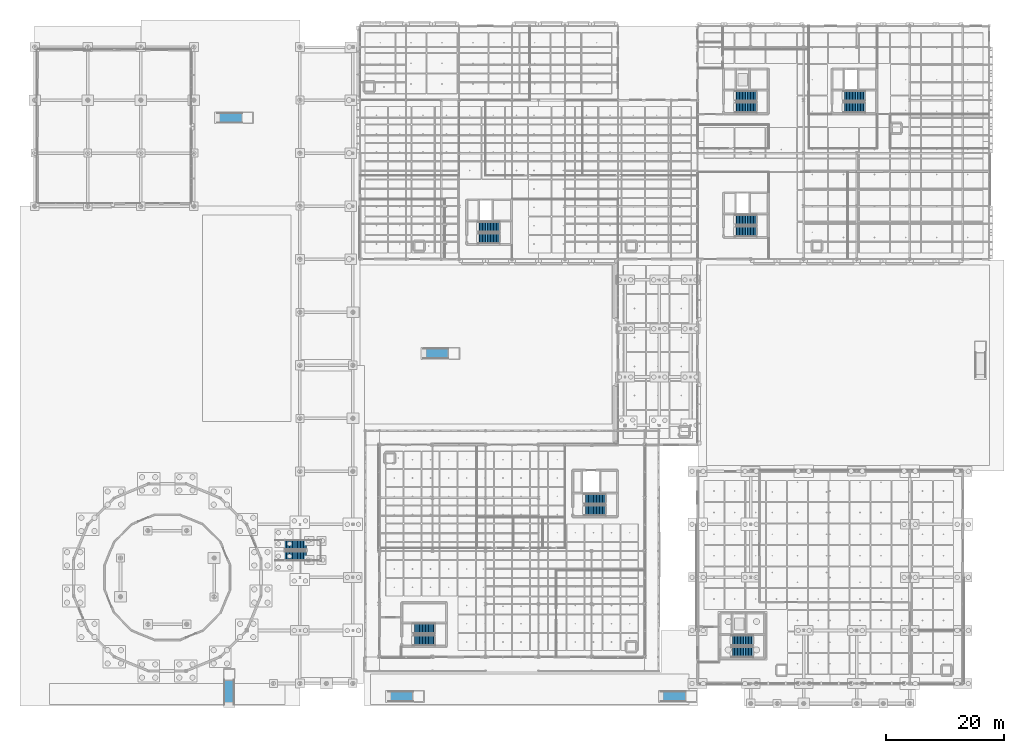
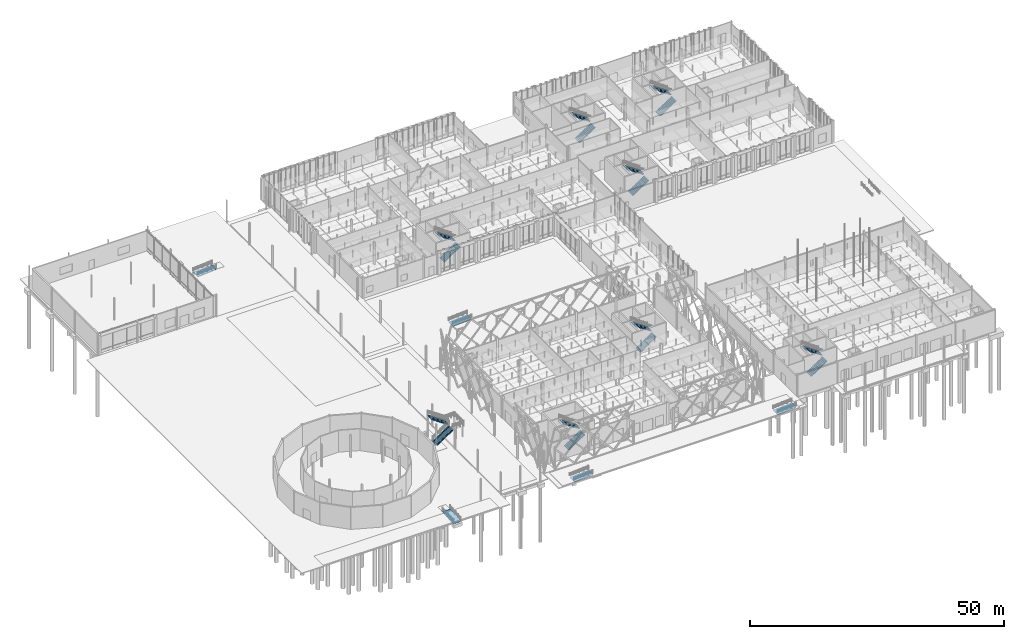
# One storey, part 103 of 180: 16 stair flights, 5 ramp flights, 13 elements without a shape of their own.
"""IFC4 building model written with IfcOpenShell, lengths in metres."""

from ifc_helpers import new_model, si_unit, direction, frame, origin, place, context, subcontext, project, spatial, polyline, outline, extrude, material, layer, layer_set, type_object, element, aggregate, save


model = new_model("IFC4")

# Units and contexts
model_context = context("Model", 3, precision=1e-05, world=origin(), true_north=direction((0.0, 1.0)))
body_context = subcontext(model_context, "Body", "Model", "MODEL_VIEW")
ifc_project = project(units=[si_unit("LENGTHUNIT", "METRE"), si_unit("AREAUNIT", "SQUARE_METRE"), si_unit("VOLUMEUNIT", "CUBIC_METRE"), si_unit("PLANEANGLEUNIT", "RADIAN"), si_unit("MASSUNIT", "GRAM", prefix="KILO"), si_unit("THERMODYNAMICTEMPERATUREUNIT", "KELVIN"), si_unit("POWERUNIT", "WATT")], contexts=[model_context])

# Site, building, storey
site_placement = place(None, origin())
site = spatial("IfcSite", under=ifc_project, at=site_placement, CompositionType="ELEMENT")
building_placement = place(site_placement, origin())
building = spatial("IfcBuilding", under=site, at=building_placement, Name="Tallowbark Science Centre", CompositionType="ELEMENT")
storey_placement = place(building_placement, origin())
storey = spatial("IfcBuildingStorey", under=building, at=storey_placement, Name="L00", CompositionType="ELEMENT", Elevation=0.0)

# Stair, stair flights
ifc_material = material(Name="Concrete Grade N40 (40 MPa)", Category="concrete")
stair_type_1 = type_object("IfcStairType", Name="STR-C1", PredefinedType="HALF_TURN_STAIR", material=ifc_material)
stair_1_placement = place(storey_placement, origin())
stair_1 = element("IfcStair", 1, at=stair_1_placement, inside=storey, type_object=stair_type_1, Name="L00 Fire Stair ST-01", PredefinedType="HALF_TURN_STAIR")
stair_flight_type_1 = type_object("IfcStairFlightType", Name="SFL-C1", PredefinedType="STRAIGHT", material=ifc_material)
stair_flight_1_placement = place(storey_placement, frame((75.2099609375, 75.530029296875, 0.0), z_axis=(0.0, 0.0, 1.0), x_axis=(1.0, 0.0, 0.0)))
stair_flight_1 = element("IfcStairFlight", 2, at=stair_flight_1_placement, type_object=stair_flight_type_1, Name="ST-01 flight 1", NumberOfRisers=15, NumberOfTreads=14, PredefinedType="STRAIGHT", RiserHeight=0.18, TreadLength=0.265, context=body_context, shape_type="SweptSolid", body=[
    extrude(outline(polyline([(0.0, 0.0), (0.0, 0.179931640625), (0.264892578125, 0.179931640625), (0.264892578125, 0.360107421875), (0.530029296875, 0.360107421875), (0.530029296875, 0.5400390625), (0.794921875, 0.5400390625), (0.794921875, 0.719970703125), (1.06005859375, 0.719970703125), (1.06005859375, 0.89990234375), (1.324951171875, 0.89990234375), (1.324951171875, 1.080078125), (1.590087890625, 1.080078125), (1.590087890625, 1.260009765625), (1.85498046875, 1.260009765625), (1.85498046875, 1.43994140625), (2.1201171875, 1.43994140625), (2.1201171875, 1.6201171875), (2.385009765625, 1.6201171875), (2.385009765625, 1.800048828125), (2.64990234375, 1.800048828125), (2.64990234375, 1.97998046875), (2.9150390625, 1.97998046875), (2.9150390625, 2.159912109375), (3.179931640625, 2.159912109375), (3.179931640625, 2.340087890625), (3.445068359375, 2.340087890625), (3.445068359375, 2.52001953125), (3.7099609375, 2.52001953125), (3.7099609375, 2.699951171875), (3.7099609375, 2.3388671875), (0.266845703125, 0.0), (0.0, 0.0)])), frame((0.0, 0.8798828125, 0.0), z_axis=(0.0, -1.0, 0.0), x_axis=(1.0, 0.0, 0.0)), (0.0, 0.0, 1.0), 1.760009765625),
])
stair_flight_2_placement = place(storey_placement, frame((78.919921875, 77.489990234375, 2.699951171875), z_axis=(0.0, 0.0, 1.0), x_axis=(-1.0, 0.0, 0.0)))
stair_flight_2 = element("IfcStairFlight", 3, at=stair_flight_2_placement, type_object=stair_flight_type_1, Name="ST-01 flight 2", NumberOfRisers=15, NumberOfTreads=14, PredefinedType="STRAIGHT", RiserHeight=0.18, TreadLength=0.265, context=body_context, shape_type="SweptSolid", body=[
    extrude(outline(polyline([(0.0, 0.0), (0.0, 0.179931640625), (0.264892578125, 0.179931640625), (0.264892578125, 0.360107421875), (0.530029296875, 0.360107421875), (0.530029296875, 0.5400390625), (0.794921875, 0.5400390625), (0.794921875, 0.719970703125), (1.06005859375, 0.719970703125), (1.06005859375, 0.89990234375), (1.324951171875, 0.89990234375), (1.324951171875, 1.080078125), (1.590087890625, 1.080078125), (1.590087890625, 1.260009765625), (1.85498046875, 1.260009765625), (1.85498046875, 1.43994140625), (2.1201171875, 1.43994140625), (2.1201171875, 1.6201171875), (2.385009765625, 1.6201171875), (2.385009765625, 1.800048828125), (2.64990234375, 1.800048828125), (2.64990234375, 1.97998046875), (2.9150390625, 1.97998046875), (2.9150390625, 2.159912109375), (3.179931640625, 2.159912109375), (3.179931640625, 2.340087890625), (3.445068359375, 2.340087890625), (3.445068359375, 2.52001953125), (3.7099609375, 2.52001953125), (3.7099609375, 2.699951171875), (3.7099609375, 2.3388671875), (0.266845703125, 0.0), (0.0, 0.0)])), frame((0.0, 0.8798828125, 0.0), z_axis=(0.0, -1.0, 0.0), x_axis=(1.0, 0.0, 0.0)), (0.0, 0.0, 1.0), 1.760009765625),
])
aggregate(stair_1, [stair_flight_1, stair_flight_2])

stair_type_2 = type_object("IfcStairType", Name="STR-C2", PredefinedType="HALF_TURN_STAIR", material=ifc_material)
stair_2_placement = place(storey_placement, origin())
stair_2 = element("IfcStair", 4, at=stair_2_placement, inside=storey, type_object=stair_type_2, Name="L00 Fire Stair ST-02", PredefinedType="HALF_TURN_STAIR")
stair_flight_type_2 = type_object("IfcStairFlightType", Name="SFL-C2", PredefinedType="STRAIGHT", material=ifc_material)
stair_flight_3_placement = place(storey_placement, frame((118.81005859375, 76.72998046875, 0.0), z_axis=(0.0, 0.0, 1.0), x_axis=(1.0, 0.0, 0.0)))
stair_flight_3 = element("IfcStairFlight", 5, at=stair_flight_3_placement, type_object=stair_flight_type_2, Name="ST-02 flight 1", NumberOfRisers=15, NumberOfTreads=14, PredefinedType="STRAIGHT", RiserHeight=0.18, TreadLength=0.265, context=body_context, shape_type="SweptSolid", body=[
    extrude(outline(polyline([(0.0, 0.0), (0.0, 0.179931640625), (0.264892578125, 0.179931640625), (0.264892578125, 0.360107421875), (0.530029296875, 0.360107421875), (0.530029296875, 0.5400390625), (0.794921875, 0.5400390625), (0.794921875, 0.719970703125), (1.06005859375, 0.719970703125), (1.06005859375, 0.89990234375), (1.324951171875, 0.89990234375), (1.324951171875, 1.080078125), (1.590087890625, 1.080078125), (1.590087890625, 1.260009765625), (1.85498046875, 1.260009765625), (1.85498046875, 1.43994140625), (2.1201171875, 1.43994140625), (2.1201171875, 1.6201171875), (2.385009765625, 1.6201171875), (2.385009765625, 1.800048828125), (2.64990234375, 1.800048828125), (2.64990234375, 1.97998046875), (2.9150390625, 1.97998046875), (2.9150390625, 2.159912109375), (3.179931640625, 2.159912109375), (3.179931640625, 2.340087890625), (3.445068359375, 2.340087890625), (3.445068359375, 2.52001953125), (3.7099609375, 2.52001953125), (3.7099609375, 2.699951171875), (3.7099609375, 2.3388671875), (0.266845703125, 0.0), (0.0, 0.0)])), frame((0.0, 0.8798828125, 0.0), z_axis=(0.0, -1.0, 0.0), x_axis=(1.0, 0.0, 0.0)), (0.0, 0.0, 1.0), 1.760009765625),
])
stair_flight_4_placement = place(storey_placement, frame((122.52001953125, 78.68994140625, 2.699951171875), z_axis=(0.0, 0.0, 1.0), x_axis=(-1.0, 0.0, 0.0)))
stair_flight_4 = element("IfcStairFlight", 6, at=stair_flight_4_placement, type_object=stair_flight_type_2, Name="ST-02 flight 2", NumberOfRisers=15, NumberOfTreads=14, PredefinedType="STRAIGHT", RiserHeight=0.18, TreadLength=0.265, context=body_context, shape_type="SweptSolid", body=[
    extrude(outline(polyline([(0.0, 0.0), (0.0, 0.179931640625), (0.264892578125, 0.179931640625), (0.264892578125, 0.360107421875), (0.530029296875, 0.360107421875), (0.530029296875, 0.5400390625), (0.794921875, 0.5400390625), (0.794921875, 0.719970703125), (1.06005859375, 0.719970703125), (1.06005859375, 0.89990234375), (1.324951171875, 0.89990234375), (1.324951171875, 1.080078125), (1.590087890625, 1.080078125), (1.590087890625, 1.260009765625), (1.85498046875, 1.260009765625), (1.85498046875, 1.43994140625), (2.1201171875, 1.43994140625), (2.1201171875, 1.6201171875), (2.385009765625, 1.6201171875), (2.385009765625, 1.800048828125), (2.64990234375, 1.800048828125), (2.64990234375, 1.97998046875), (2.9150390625, 1.97998046875), (2.9150390625, 2.159912109375), (3.179931640625, 2.159912109375), (3.179931640625, 2.340087890625), (3.445068359375, 2.340087890625), (3.445068359375, 2.52001953125), (3.7099609375, 2.52001953125), (3.7099609375, 2.699951171875), (3.7099609375, 2.3388671875), (0.266845703125, 0.0), (0.0, 0.0)])), frame((0.0, 0.8798828125, 0.0), z_axis=(0.0, -1.0, 0.0), x_axis=(1.0, 0.0, 0.0)), (0.0, 0.0, 1.0), 1.760009765625),
])
aggregate(stair_2, [stair_flight_3, stair_flight_4])

stair_type_3 = type_object("IfcStairType", Name="STR-C3", PredefinedType="HALF_TURN_STAIR", material=ifc_material)
stair_3_placement = place(storey_placement, origin())
stair_3 = element("IfcStair", 7, at=stair_3_placement, inside=storey, type_object=stair_type_3, Name="L00 Fire Stair ST-03", PredefinedType="HALF_TURN_STAIR")
stair_flight_type_3 = type_object("IfcStairFlightType", Name="SFL-C3", PredefinedType="STRAIGHT", material=ifc_material)
stair_flight_5_placement = place(storey_placement, frame((93.2099609375, 29.330078125, 0.0), z_axis=(0.0, 0.0, 1.0), x_axis=(1.0, 0.0, 0.0)))
stair_flight_5 = element("IfcStairFlight", 8, at=stair_flight_5_placement, type_object=stair_flight_type_3, Name="ST-03 flight 1", NumberOfRisers=15, NumberOfTreads=14, PredefinedType="STRAIGHT", RiserHeight=0.18, TreadLength=0.265, context=body_context, shape_type="SweptSolid", body=[
    extrude(outline(polyline([(0.0, 0.0), (0.0, 0.179931640625), (0.264892578125, 0.179931640625), (0.264892578125, 0.360107421875), (0.530029296875, 0.360107421875), (0.530029296875, 0.5400390625), (0.794921875, 0.5400390625), (0.794921875, 0.719970703125), (1.06005859375, 0.719970703125), (1.06005859375, 0.89990234375), (1.324951171875, 0.89990234375), (1.324951171875, 1.080078125), (1.590087890625, 1.080078125), (1.590087890625, 1.260009765625), (1.85498046875, 1.260009765625), (1.85498046875, 1.43994140625), (2.1201171875, 1.43994140625), (2.1201171875, 1.6201171875), (2.385009765625, 1.6201171875), (2.385009765625, 1.800048828125), (2.64990234375, 1.800048828125), (2.64990234375, 1.97998046875), (2.9150390625, 1.97998046875), (2.9150390625, 2.159912109375), (3.179931640625, 2.159912109375), (3.179931640625, 2.340087890625), (3.445068359375, 2.340087890625), (3.445068359375, 2.52001953125), (3.7099609375, 2.52001953125), (3.7099609375, 2.699951171875), (3.7099609375, 2.3388671875), (0.266845703125, 0.0), (0.0, 0.0)])), frame((0.0, 0.8798828125, 0.0), z_axis=(0.0, -1.0, 0.0), x_axis=(1.0, 0.0, 0.0)), (0.0, 0.0, 1.0), 1.760009765625),
])
stair_flight_6_placement = place(storey_placement, frame((96.919921875, 31.2900390625, 2.699951171875), z_axis=(0.0, 0.0, 1.0), x_axis=(-1.0, 0.0, 0.0)))
stair_flight_6 = element("IfcStairFlight", 9, at=stair_flight_6_placement, type_object=stair_flight_type_3, Name="ST-03 flight 2", NumberOfRisers=15, NumberOfTreads=14, PredefinedType="STRAIGHT", RiserHeight=0.18, TreadLength=0.265, context=body_context, shape_type="SweptSolid", body=[
    extrude(outline(polyline([(0.0, 0.0), (0.0, 0.179931640625), (0.264892578125, 0.179931640625), (0.264892578125, 0.360107421875), (0.530029296875, 0.360107421875), (0.530029296875, 0.5400390625), (0.794921875, 0.5400390625), (0.794921875, 0.719970703125), (1.06005859375, 0.719970703125), (1.06005859375, 0.89990234375), (1.324951171875, 0.89990234375), (1.324951171875, 1.080078125), (1.590087890625, 1.080078125), (1.590087890625, 1.260009765625), (1.85498046875, 1.260009765625), (1.85498046875, 1.43994140625), (2.1201171875, 1.43994140625), (2.1201171875, 1.6201171875), (2.385009765625, 1.6201171875), (2.385009765625, 1.800048828125), (2.64990234375, 1.800048828125), (2.64990234375, 1.97998046875), (2.9150390625, 1.97998046875), (2.9150390625, 2.159912109375), (3.179931640625, 2.159912109375), (3.179931640625, 2.340087890625), (3.445068359375, 2.340087890625), (3.445068359375, 2.52001953125), (3.7099609375, 2.52001953125), (3.7099609375, 2.699951171875), (3.7099609375, 2.3388671875), (0.266845703125, 0.0), (0.0, 0.0)])), frame((0.0, 0.8798828125, 0.0), z_axis=(0.0, -1.0, 0.0), x_axis=(1.0, 0.0, 0.0)), (0.0, 0.0, 1.0), 1.760009765625),
])
aggregate(stair_3, [stair_flight_5, stair_flight_6])

stair_type_4 = type_object("IfcStairType", Name="STR-C4", PredefinedType="HALF_TURN_STAIR", material=ifc_material)
stair_4_placement = place(storey_placement, origin())
stair_4 = element("IfcStair", 10, at=stair_4_placement, inside=storey, type_object=stair_type_4, Name="L00 Fire Stair ST-04", PredefinedType="HALF_TURN_STAIR")
stair_flight_type_4 = type_object("IfcStairFlightType", Name="SFL-C4", PredefinedType="STRAIGHT", material=ifc_material)
stair_flight_7_placement = place(storey_placement, frame((137.2099609375, 97.72998046875, 0.0), z_axis=(0.0, 0.0, 1.0), x_axis=(1.0, 0.0, 0.0)))
stair_flight_7 = element("IfcStairFlight", 11, at=stair_flight_7_placement, type_object=stair_flight_type_4, Name="ST-04 flight 1", NumberOfRisers=15, NumberOfTreads=14, PredefinedType="STRAIGHT", RiserHeight=0.18, TreadLength=0.265, context=body_context, shape_type="SweptSolid", body=[
    extrude(outline(polyline([(0.0, 0.0), (0.0, 0.179931640625), (0.264892578125, 0.179931640625), (0.264892578125, 0.360107421875), (0.530029296875, 0.360107421875), (0.530029296875, 0.5400390625), (0.794921875, 0.5400390625), (0.794921875, 0.719970703125), (1.06005859375, 0.719970703125), (1.06005859375, 0.89990234375), (1.324951171875, 0.89990234375), (1.324951171875, 1.080078125), (1.590087890625, 1.080078125), (1.590087890625, 1.260009765625), (1.85498046875, 1.260009765625), (1.85498046875, 1.43994140625), (2.1201171875, 1.43994140625), (2.1201171875, 1.6201171875), (2.385009765625, 1.6201171875), (2.385009765625, 1.800048828125), (2.64990234375, 1.800048828125), (2.64990234375, 1.97998046875), (2.9150390625, 1.97998046875), (2.9150390625, 2.159912109375), (3.179931640625, 2.159912109375), (3.179931640625, 2.340087890625), (3.445068359375, 2.340087890625), (3.445068359375, 2.52001953125), (3.7099609375, 2.52001953125), (3.7099609375, 2.699951171875), (3.7099609375, 2.3388671875), (0.266845703125, 0.0), (0.0, 0.0)])), frame((0.0, 0.8798828125, 0.0), z_axis=(0.0, -1.0, 0.0), x_axis=(1.0, 0.0, 0.0)), (0.0, 0.0, 1.0), 1.760009765625),
])
stair_flight_8_placement = place(storey_placement, frame((140.919921875, 99.68994140625, 2.699951171875), z_axis=(0.0, 0.0, 1.0), x_axis=(-1.0, 0.0, 0.0)))
stair_flight_8 = element("IfcStairFlight", 12, at=stair_flight_8_placement, type_object=stair_flight_type_4, Name="ST-04 flight 2", NumberOfRisers=15, NumberOfTreads=14, PredefinedType="STRAIGHT", RiserHeight=0.18, TreadLength=0.265, context=body_context, shape_type="SweptSolid", body=[
    extrude(outline(polyline([(0.0, 0.0), (0.0, 0.179931640625), (0.264892578125, 0.179931640625), (0.264892578125, 0.360107421875), (0.530029296875, 0.360107421875), (0.530029296875, 0.5400390625), (0.794921875, 0.5400390625), (0.794921875, 0.719970703125), (1.06005859375, 0.719970703125), (1.06005859375, 0.89990234375), (1.324951171875, 0.89990234375), (1.324951171875, 1.080078125), (1.590087890625, 1.080078125), (1.590087890625, 1.260009765625), (1.85498046875, 1.260009765625), (1.85498046875, 1.43994140625), (2.1201171875, 1.43994140625), (2.1201171875, 1.6201171875), (2.385009765625, 1.6201171875), (2.385009765625, 1.800048828125), (2.64990234375, 1.800048828125), (2.64990234375, 1.97998046875), (2.9150390625, 1.97998046875), (2.9150390625, 2.159912109375), (3.179931640625, 2.159912109375), (3.179931640625, 2.340087890625), (3.445068359375, 2.340087890625), (3.445068359375, 2.52001953125), (3.7099609375, 2.52001953125), (3.7099609375, 2.699951171875), (3.7099609375, 2.3388671875), (0.266845703125, 0.0), (0.0, 0.0)])), frame((0.0, 0.8798828125, 0.0), z_axis=(0.0, -1.0, 0.0), x_axis=(1.0, 0.0, 0.0)), (0.0, 0.0, 1.0), 1.760009765625),
])
aggregate(stair_4, [stair_flight_7, stair_flight_8])

stair_type_5 = type_object("IfcStairType", Name="STR-C5", PredefinedType="HALF_TURN_STAIR", material=ifc_material)
stair_5_placement = place(storey_placement, origin())
stair_5 = element("IfcStair", 13, at=stair_5_placement, inside=storey, type_object=stair_type_5, Name="L00 Fire Stair ST-05", PredefinedType="HALF_TURN_STAIR")
stair_flight_type_5 = type_object("IfcStairFlightType", Name="SFL-C5", PredefinedType="STRAIGHT", material=ifc_material)
stair_flight_9_placement = place(storey_placement, frame((118.81005859375, 97.72998046875, 0.0), z_axis=(0.0, 0.0, 1.0), x_axis=(1.0, 0.0, 0.0)))
stair_flight_9 = element("IfcStairFlight", 14, at=stair_flight_9_placement, type_object=stair_flight_type_5, Name="ST-05 flight 1", NumberOfRisers=15, NumberOfTreads=14, PredefinedType="STRAIGHT", RiserHeight=0.18, TreadLength=0.265, context=body_context, shape_type="SweptSolid", body=[
    extrude(outline(polyline([(0.0, 0.0), (0.0, 0.179931640625), (0.264892578125, 0.179931640625), (0.264892578125, 0.360107421875), (0.530029296875, 0.360107421875), (0.530029296875, 0.5400390625), (0.794921875, 0.5400390625), (0.794921875, 0.719970703125), (1.06005859375, 0.719970703125), (1.06005859375, 0.89990234375), (1.324951171875, 0.89990234375), (1.324951171875, 1.080078125), (1.590087890625, 1.080078125), (1.590087890625, 1.260009765625), (1.85498046875, 1.260009765625), (1.85498046875, 1.43994140625), (2.1201171875, 1.43994140625), (2.1201171875, 1.6201171875), (2.385009765625, 1.6201171875), (2.385009765625, 1.800048828125), (2.64990234375, 1.800048828125), (2.64990234375, 1.97998046875), (2.9150390625, 1.97998046875), (2.9150390625, 2.159912109375), (3.179931640625, 2.159912109375), (3.179931640625, 2.340087890625), (3.445068359375, 2.340087890625), (3.445068359375, 2.52001953125), (3.7099609375, 2.52001953125), (3.7099609375, 2.699951171875), (3.7099609375, 2.3388671875), (0.266845703125, 0.0), (0.0, 0.0)])), frame((0.0, 0.8798828125, 0.0), z_axis=(0.0, -1.0, 0.0), x_axis=(1.0, 0.0, 0.0)), (0.0, 0.0, 1.0), 1.760009765625),
])
stair_flight_10_placement = place(storey_placement, frame((122.52001953125, 99.68994140625, 2.699951171875), z_axis=(0.0, 0.0, 1.0), x_axis=(-1.0, 0.0, 0.0)))
stair_flight_10 = element("IfcStairFlight", 15, at=stair_flight_10_placement, type_object=stair_flight_type_5, Name="ST-05 flight 2", NumberOfRisers=15, NumberOfTreads=14, PredefinedType="STRAIGHT", RiserHeight=0.18, TreadLength=0.265, context=body_context, shape_type="SweptSolid", body=[
    extrude(outline(polyline([(0.0, 0.0), (0.0, 0.179931640625), (0.264892578125, 0.179931640625), (0.264892578125, 0.360107421875), (0.530029296875, 0.360107421875), (0.530029296875, 0.5400390625), (0.794921875, 0.5400390625), (0.794921875, 0.719970703125), (1.06005859375, 0.719970703125), (1.06005859375, 0.89990234375), (1.324951171875, 0.89990234375), (1.324951171875, 1.080078125), (1.590087890625, 1.080078125), (1.590087890625, 1.260009765625), (1.85498046875, 1.260009765625), (1.85498046875, 1.43994140625), (2.1201171875, 1.43994140625), (2.1201171875, 1.6201171875), (2.385009765625, 1.6201171875), (2.385009765625, 1.800048828125), (2.64990234375, 1.800048828125), (2.64990234375, 1.97998046875), (2.9150390625, 1.97998046875), (2.9150390625, 2.159912109375), (3.179931640625, 2.159912109375), (3.179931640625, 2.340087890625), (3.445068359375, 2.340087890625), (3.445068359375, 2.52001953125), (3.7099609375, 2.52001953125), (3.7099609375, 2.699951171875), (3.7099609375, 2.3388671875), (0.266845703125, 0.0), (0.0, 0.0)])), frame((0.0, 0.8798828125, 0.0), z_axis=(0.0, -1.0, 0.0), x_axis=(1.0, 0.0, 0.0)), (0.0, 0.0, 1.0), 1.760009765625),
])
aggregate(stair_5, [stair_flight_9, stair_flight_10])

stair_type_6 = type_object("IfcStairType", Name="STR-C6", PredefinedType="HALF_TURN_STAIR", material=ifc_material)
stair_6_placement = place(storey_placement, origin())
stair_6 = element("IfcStair", 16, at=stair_6_placement, inside=storey, type_object=stair_type_6, Name="L00 Fire Stair ST-06", PredefinedType="HALF_TURN_STAIR")
stair_flight_type_6 = type_object("IfcStairFlightType", Name="SFL-C6", PredefinedType="STRAIGHT", material=ifc_material)
stair_flight_11_placement = place(storey_placement, frame((118.2099609375, 5.330078125, 0.0), z_axis=(0.0, 0.0, 1.0), x_axis=(1.0, 0.0, 0.0)))
stair_flight_11 = element("IfcStairFlight", 17, at=stair_flight_11_placement, type_object=stair_flight_type_6, Name="ST-06 flight 1", NumberOfRisers=15, NumberOfTreads=14, PredefinedType="STRAIGHT", RiserHeight=0.18, TreadLength=0.265, context=body_context, shape_type="SweptSolid", body=[
    extrude(outline(polyline([(0.0, 0.0), (0.0, 0.179931640625), (0.264892578125, 0.179931640625), (0.264892578125, 0.360107421875), (0.530029296875, 0.360107421875), (0.530029296875, 0.5400390625), (0.794921875, 0.5400390625), (0.794921875, 0.719970703125), (1.06005859375, 0.719970703125), (1.06005859375, 0.89990234375), (1.324951171875, 0.89990234375), (1.324951171875, 1.080078125), (1.590087890625, 1.080078125), (1.590087890625, 1.260009765625), (1.85498046875, 1.260009765625), (1.85498046875, 1.43994140625), (2.1201171875, 1.43994140625), (2.1201171875, 1.6201171875), (2.385009765625, 1.6201171875), (2.385009765625, 1.800048828125), (2.64990234375, 1.800048828125), (2.64990234375, 1.97998046875), (2.9150390625, 1.97998046875), (2.9150390625, 2.159912109375), (3.179931640625, 2.159912109375), (3.179931640625, 2.340087890625), (3.445068359375, 2.340087890625), (3.445068359375, 2.52001953125), (3.7099609375, 2.52001953125), (3.7099609375, 2.699951171875), (3.7099609375, 2.3388671875), (0.266845703125, 0.0), (0.0, 0.0)])), frame((0.0, 0.8798828125, 0.0), z_axis=(0.0, -1.0, 0.0), x_axis=(1.0, 0.0, 0.0)), (0.0, 0.0, 1.0), 1.760009765625),
])
stair_flight_12_placement = place(storey_placement, frame((121.919921875, 7.2900390625, 2.699951171875), z_axis=(0.0, 0.0, 1.0), x_axis=(-1.0, 0.0, 0.0)))
stair_flight_12 = element("IfcStairFlight", 18, at=stair_flight_12_placement, type_object=stair_flight_type_6, Name="ST-06 flight 2", NumberOfRisers=15, NumberOfTreads=14, PredefinedType="STRAIGHT", RiserHeight=0.18, TreadLength=0.265, context=body_context, shape_type="SweptSolid", body=[
    extrude(outline(polyline([(0.0, 0.0), (0.0, 0.179931640625), (0.264892578125, 0.179931640625), (0.264892578125, 0.360107421875), (0.530029296875, 0.360107421875), (0.530029296875, 0.5400390625), (0.794921875, 0.5400390625), (0.794921875, 0.719970703125), (1.06005859375, 0.719970703125), (1.06005859375, 0.89990234375), (1.324951171875, 0.89990234375), (1.324951171875, 1.080078125), (1.590087890625, 1.080078125), (1.590087890625, 1.260009765625), (1.85498046875, 1.260009765625), (1.85498046875, 1.43994140625), (2.1201171875, 1.43994140625), (2.1201171875, 1.6201171875), (2.385009765625, 1.6201171875), (2.385009765625, 1.800048828125), (2.64990234375, 1.800048828125), (2.64990234375, 1.97998046875), (2.9150390625, 1.97998046875), (2.9150390625, 2.159912109375), (3.179931640625, 2.159912109375), (3.179931640625, 2.340087890625), (3.445068359375, 2.340087890625), (3.445068359375, 2.52001953125), (3.7099609375, 2.52001953125), (3.7099609375, 2.699951171875), (3.7099609375, 2.3388671875), (0.266845703125, 0.0), (0.0, 0.0)])), frame((0.0, 0.8798828125, 0.0), z_axis=(0.0, -1.0, 0.0), x_axis=(1.0, 0.0, 0.0)), (0.0, 0.0, 1.0), 1.760009765625),
])
aggregate(stair_6, [stair_flight_11, stair_flight_12])

stair_type_7 = type_object("IfcStairType", Name="STR-C7", PredefinedType="HALF_TURN_STAIR", material=ifc_material)
stair_7_placement = place(storey_placement, origin())
stair_7 = element("IfcStair", 19, at=stair_7_placement, inside=storey, type_object=stair_type_7, Name="L00 Fire Stair ST-07", PredefinedType="HALF_TURN_STAIR")
stair_flight_type_7 = type_object("IfcStairFlightType", Name="SFL-C7", PredefinedType="STRAIGHT", material=ifc_material)
stair_flight_13_placement = place(storey_placement, frame((64.2099609375, 7.330078125, 0.0), z_axis=(0.0, 0.0, 1.0), x_axis=(1.0, 0.0, 0.0)))
stair_flight_13 = element("IfcStairFlight", 20, at=stair_flight_13_placement, type_object=stair_flight_type_7, Name="ST-07 flight 1", NumberOfRisers=15, NumberOfTreads=14, PredefinedType="STRAIGHT", RiserHeight=0.18, TreadLength=0.265, context=body_context, shape_type="SweptSolid", body=[
    extrude(outline(polyline([(0.0, 0.0), (0.0, 0.179931640625), (0.264892578125, 0.179931640625), (0.264892578125, 0.360107421875), (0.530029296875, 0.360107421875), (0.530029296875, 0.5400390625), (0.794921875, 0.5400390625), (0.794921875, 0.719970703125), (1.06005859375, 0.719970703125), (1.06005859375, 0.89990234375), (1.324951171875, 0.89990234375), (1.324951171875, 1.080078125), (1.590087890625, 1.080078125), (1.590087890625, 1.260009765625), (1.85498046875, 1.260009765625), (1.85498046875, 1.43994140625), (2.1201171875, 1.43994140625), (2.1201171875, 1.6201171875), (2.385009765625, 1.6201171875), (2.385009765625, 1.800048828125), (2.64990234375, 1.800048828125), (2.64990234375, 1.97998046875), (2.9150390625, 1.97998046875), (2.9150390625, 2.159912109375), (3.179931640625, 2.159912109375), (3.179931640625, 2.340087890625), (3.445068359375, 2.340087890625), (3.445068359375, 2.52001953125), (3.7099609375, 2.52001953125), (3.7099609375, 2.699951171875), (3.7099609375, 2.3388671875), (0.266845703125, 0.0), (0.0, 0.0)])), frame((0.0, 0.8798828125, 0.0), z_axis=(0.0, -1.0, 0.0), x_axis=(1.0, 0.0, 0.0)), (0.0, 0.0, 1.0), 1.760009765625),
])
stair_flight_14_placement = place(storey_placement, frame((67.919921875, 9.2900390625, 2.699951171875), z_axis=(0.0, 0.0, 1.0), x_axis=(-1.0, 0.0, 0.0)))
stair_flight_14 = element("IfcStairFlight", 21, at=stair_flight_14_placement, type_object=stair_flight_type_7, Name="ST-07 flight 2", NumberOfRisers=15, NumberOfTreads=14, PredefinedType="STRAIGHT", RiserHeight=0.18, TreadLength=0.265, context=body_context, shape_type="SweptSolid", body=[
    extrude(outline(polyline([(0.0, 0.0), (0.0, 0.179931640625), (0.264892578125, 0.179931640625), (0.264892578125, 0.360107421875), (0.530029296875, 0.360107421875), (0.530029296875, 0.5400390625), (0.794921875, 0.5400390625), (0.794921875, 0.719970703125), (1.06005859375, 0.719970703125), (1.06005859375, 0.89990234375), (1.324951171875, 0.89990234375), (1.324951171875, 1.080078125), (1.590087890625, 1.080078125), (1.590087890625, 1.260009765625), (1.85498046875, 1.260009765625), (1.85498046875, 1.43994140625), (2.1201171875, 1.43994140625), (2.1201171875, 1.6201171875), (2.385009765625, 1.6201171875), (2.385009765625, 1.800048828125), (2.64990234375, 1.800048828125), (2.64990234375, 1.97998046875), (2.9150390625, 1.97998046875), (2.9150390625, 2.159912109375), (3.179931640625, 2.159912109375), (3.179931640625, 2.340087890625), (3.445068359375, 2.340087890625), (3.445068359375, 2.52001953125), (3.7099609375, 2.52001953125), (3.7099609375, 2.699951171875), (3.7099609375, 2.3388671875), (0.266845703125, 0.0), (0.0, 0.0)])), frame((0.0, 0.8798828125, 0.0), z_axis=(0.0, -1.0, 0.0), x_axis=(1.0, 0.0, 0.0)), (0.0, 0.0, 1.0), 1.760009765625),
])
aggregate(stair_7, [stair_flight_13, stair_flight_14])

stair_type_8 = type_object("IfcStairType", Name="STR-EXT-08", PredefinedType="HALF_TURN_STAIR", material=ifc_material)
stair_8_placement = place(storey_placement, origin())
stair_8 = element("IfcStair", 22, at=stair_8_placement, inside=storey, type_object=stair_type_8, Name="L00 Exterior Civic Plaza Stair ST-08", PredefinedType="HALF_TURN_STAIR")
stair_flight_type_8 = type_object("IfcStairFlightType", Name="SFL-EXT-08", PredefinedType="STRAIGHT", material=ifc_material)
stair_flight_15_placement = place(storey_placement, frame((42.449951171875, 21.625, 0.0), z_axis=(0.0, 0.0, 1.0), x_axis=(1.0, 0.0, 0.0)))
stair_flight_15 = element("IfcStairFlight", 23, at=stair_flight_15_placement, type_object=stair_flight_type_8, Name="ST-08 flight 1", NumberOfRisers=15, NumberOfTreads=14, PredefinedType="STRAIGHT", RiserHeight=0.18, TreadLength=0.265, context=body_context, shape_type="SweptSolid", body=[
    extrude(outline(polyline([(0.0, 0.0), (0.0, 0.179931640625), (0.264892578125, 0.179931640625), (0.264892578125, 0.360107421875), (0.530029296875, 0.360107421875), (0.530029296875, 0.5400390625), (0.794921875, 0.5400390625), (0.794921875, 0.719970703125), (1.06005859375, 0.719970703125), (1.06005859375, 0.89990234375), (1.324951171875, 0.89990234375), (1.324951171875, 1.080078125), (1.590087890625, 1.080078125), (1.590087890625, 1.260009765625), (1.85498046875, 1.260009765625), (1.85498046875, 1.43994140625), (2.1201171875, 1.43994140625), (2.1201171875, 1.6201171875), (2.385009765625, 1.6201171875), (2.385009765625, 1.800048828125), (2.64990234375, 1.800048828125), (2.64990234375, 1.97998046875), (2.9150390625, 1.97998046875), (2.9150390625, 2.159912109375), (3.179931640625, 2.159912109375), (3.179931640625, 2.340087890625), (3.445068359375, 2.340087890625), (3.445068359375, 2.52001953125), (3.7099609375, 2.52001953125), (3.7099609375, 2.699951171875), (3.7099609375, 2.3388671875), (0.266845703125, 0.0), (0.0, 0.0)])), frame((0.0, 0.824951171875, 0.0), z_axis=(0.0, -1.0, 0.0), x_axis=(1.0, 0.0, 0.0)), (0.0, 0.0, 1.0), 1.64990234375),
])
stair_flight_16_placement = place(storey_placement, frame((46.159912109375, 23.514892578125, 2.699951171875), z_axis=(0.0, 0.0, 1.0), x_axis=(-1.0, 0.0, 0.0)))
stair_flight_16 = element("IfcStairFlight", 24, at=stair_flight_16_placement, type_object=stair_flight_type_8, Name="ST-08 flight 2", NumberOfRisers=15, NumberOfTreads=14, PredefinedType="STRAIGHT", RiserHeight=0.18, TreadLength=0.265, context=body_context, shape_type="SweptSolid", body=[
    extrude(outline(polyline([(0.0, 0.0), (0.0, 0.179931640625), (0.264892578125, 0.179931640625), (0.264892578125, 0.360107421875), (0.530029296875, 0.360107421875), (0.530029296875, 0.5400390625), (0.794921875, 0.5400390625), (0.794921875, 0.719970703125), (1.06005859375, 0.719970703125), (1.06005859375, 0.89990234375), (1.324951171875, 0.89990234375), (1.324951171875, 1.080078125), (1.590087890625, 1.080078125), (1.590087890625, 1.260009765625), (1.85498046875, 1.260009765625), (1.85498046875, 1.43994140625), (2.1201171875, 1.43994140625), (2.1201171875, 1.6201171875), (2.385009765625, 1.6201171875), (2.385009765625, 1.800048828125), (2.64990234375, 1.800048828125), (2.64990234375, 1.97998046875), (2.9150390625, 1.97998046875), (2.9150390625, 2.159912109375), (3.179931640625, 2.159912109375), (3.179931640625, 2.340087890625), (3.445068359375, 2.340087890625), (3.445068359375, 2.52001953125), (3.7099609375, 2.52001953125), (3.7099609375, 2.699951171875), (3.7099609375, 2.3388671875), (0.266845703125, 0.0), (0.0, 0.0)])), frame((0.0, 0.824951171875, 0.0), z_axis=(0.0, -1.0, 0.0), x_axis=(1.0, 0.0, 0.0)), (0.0, 0.0, 1.0), 1.64990234375),
])
aggregate(stair_8, [stair_flight_15, stair_flight_16])

# Ramp, ramp flight
ramp_type = type_object("IfcRampType", Name="RMP-ACC-14", PredefinedType="STRAIGHT_RUN_RAMP", material=ifc_material)
ramp_1_placement = place(storey_placement, origin())
ramp_1 = element("IfcRamp", 25, at=ramp_1_placement, inside=storey, type_object=ramp_type, Name="Accessible 1:14 Ramp RMP-01", PredefinedType="STRAIGHT_RUN_RAMP")
ifc_layer = layer(ifc_material, 0.179931640625)
ifc_layer_set = layer_set([ifc_layer], Name="Concrete Grade N40 (40 MPa)")
ramp_flight_type = type_object("IfcRampFlightType", Name="RMF-ACC-14", PredefinedType="STRAIGHT", material=ifc_layer_set)
ramp_flight_1_placement = place(storey_placement, frame((60.0, -2.199951171875, -0.300048828125), z_axis=(0.0, 0.0, 1.0), x_axis=(1.0, 0.0, 0.0)))
ramp_flight_1 = element("IfcRampFlight", 26, at=ramp_flight_1_placement, type_object=ramp_flight_type, Name="Accessible Ramp Flight RMP-01", PredefinedType="STRAIGHT", context=body_context, shape_type="SweptSolid", body=[
    extrude(outline(polyline([(0.0, 0.0), (0.0, -0.179931640625), (4.199951171875, 0.1201171875), (4.199951171875, 0.300048828125), (0.0, 0.0)])), frame((0.0, 0.89990234375, 0.0), z_axis=(0.0, -1.0, 0.0), x_axis=(1.0, 0.0, 0.0)), (0.0, 0.0, 1.0), 1.800048828125),
])
aggregate(ramp_1, [ramp_flight_1])

ramp_2_placement = place(storey_placement, origin())
ramp_2 = element("IfcRamp", 27, at=ramp_2_placement, inside=storey, type_object=ramp_type, Name="Accessible 1:14 Ramp RMP-02", PredefinedType="STRAIGHT_RUN_RAMP")
ramp_flight_2_placement = place(storey_placement, frame((33.0, -3.60009765625, -0.300048828125), z_axis=(0.0, 0.0, 1.0), x_axis=(0.0, 1.0, 0.0)))
ramp_flight_2 = element("IfcRampFlight", 28, at=ramp_flight_2_placement, type_object=ramp_flight_type, Name="Accessible Ramp Flight RMP-02", PredefinedType="STRAIGHT", context=body_context, shape_type="SweptSolid", body=[
    extrude(outline(polyline([(0.0, 0.0), (0.0, -0.179931640625), (4.199951171875, 0.1201171875), (4.199951171875, 0.300048828125), (0.0, 0.0)])), frame((0.0, 0.89990234375, 0.0), z_axis=(0.0, -1.0, 0.0), x_axis=(1.0, 0.0, 0.0)), (0.0, 0.0, 1.0), 1.800048828125),
])
aggregate(ramp_2, [ramp_flight_2])

ramp_3_placement = place(storey_placement, origin())
ramp_3 = element("IfcRamp", 29, at=ramp_3_placement, inside=storey, type_object=ramp_type, Name="Accessible 1:14 Ramp RMP-03", PredefinedType="STRAIGHT_RUN_RAMP")
ramp_flight_3_placement = place(storey_placement, frame((31.0, 96.0, -0.300048828125), z_axis=(0.0, 0.0, 1.0), x_axis=(1.0, 0.0, 0.0)))
ramp_flight_3 = element("IfcRampFlight", 30, at=ramp_flight_3_placement, type_object=ramp_flight_type, Name="Accessible Ramp Flight RMP-03", PredefinedType="STRAIGHT", context=body_context, shape_type="SweptSolid", body=[
    extrude(outline(polyline([(0.0, 0.0), (0.0, -0.179931640625), (4.199951171875, 0.1201171875), (4.199951171875, 0.300048828125), (0.0, 0.0)])), frame((0.0, 0.89990234375, 0.0), z_axis=(0.0, -1.0, 0.0), x_axis=(1.0, 0.0, 0.0)), (0.0, 0.0, 1.0), 1.800048828125),
])
aggregate(ramp_3, [ramp_flight_3])

ramp_4_placement = place(storey_placement, origin())
ramp_4 = element("IfcRamp", 31, at=ramp_4_placement, inside=storey, type_object=ramp_type, Name="Accessible 1:14 Ramp RMP-04", PredefinedType="STRAIGHT_RUN_RAMP")
ramp_flight_4_placement = place(storey_placement, frame((106.300048828125, -2.199951171875, -0.300048828125), z_axis=(0.0, 0.0, 1.0), x_axis=(1.0, 0.0, 0.0)))
ramp_flight_4 = element("IfcRampFlight", 32, at=ramp_flight_4_placement, type_object=ramp_flight_type, Name="Accessible Ramp Flight RMP-04", PredefinedType="STRAIGHT", context=body_context, shape_type="SweptSolid", body=[
    extrude(outline(polyline([(0.0, 0.0), (0.0, -0.179931640625), (4.199951171875, 0.1201171875), (4.199951171875, 0.300048828125), (0.0, 0.0)])), frame((0.0, 0.89990234375, 0.0), z_axis=(0.0, -1.0, 0.0), x_axis=(1.0, 0.0, 0.0)), (0.0, 0.0, 1.0), 1.800048828125),
])
aggregate(ramp_4, [ramp_flight_4])

ramp_5_placement = place(storey_placement, origin())
ramp_5 = element("IfcRamp", 33, at=ramp_5_placement, inside=storey, type_object=ramp_type, Name="Accessible 1:14 Ramp RMP-05", PredefinedType="STRAIGHT_RUN_RAMP")
ramp_flight_5_placement = place(storey_placement, frame((66.0, 56.0, -0.300048828125), z_axis=(0.0, 0.0, 1.0), x_axis=(1.0, 0.0, 0.0)))
ramp_flight_5 = element("IfcRampFlight", 34, at=ramp_flight_5_placement, type_object=ramp_flight_type, Name="Accessible Ramp Flight RMP-05", PredefinedType="STRAIGHT", context=body_context, shape_type="SweptSolid", body=[
    extrude(outline(polyline([(0.0, 0.0), (0.0, -0.179931640625), (4.199951171875, 0.1201171875), (4.199951171875, 0.300048828125), (0.0, 0.0)])), frame((0.0, 0.89990234375, 0.0), z_axis=(0.0, -1.0, 0.0), x_axis=(1.0, 0.0, 0.0)), (0.0, 0.0, 1.0), 1.800048828125),
])
aggregate(ramp_5, [ramp_flight_5])

save(model, "model.ifc")
